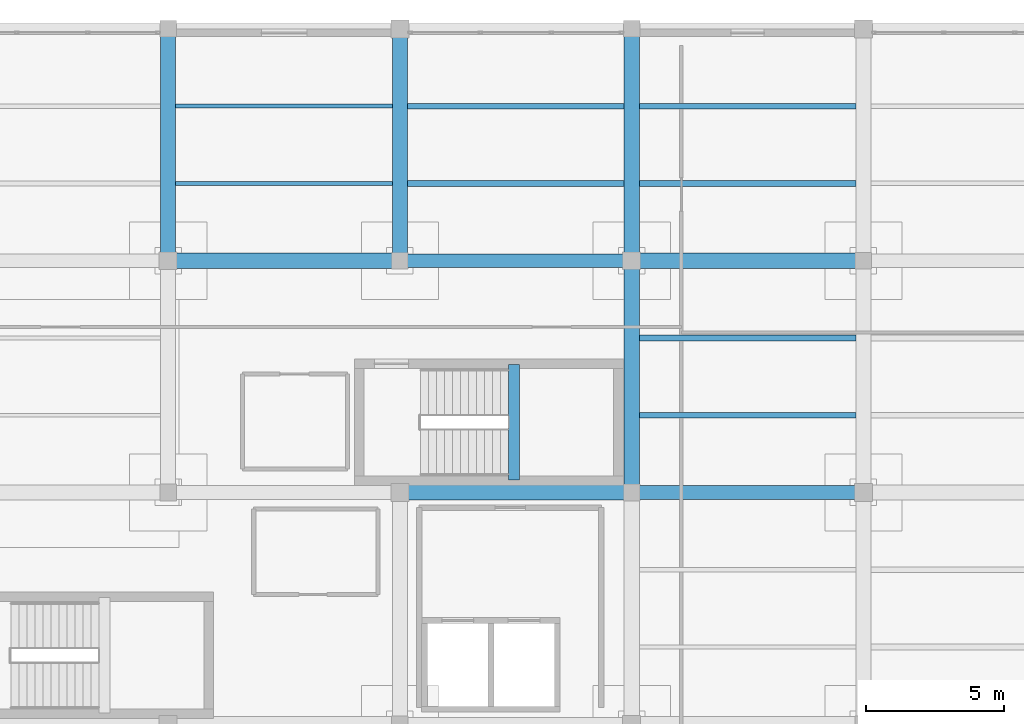
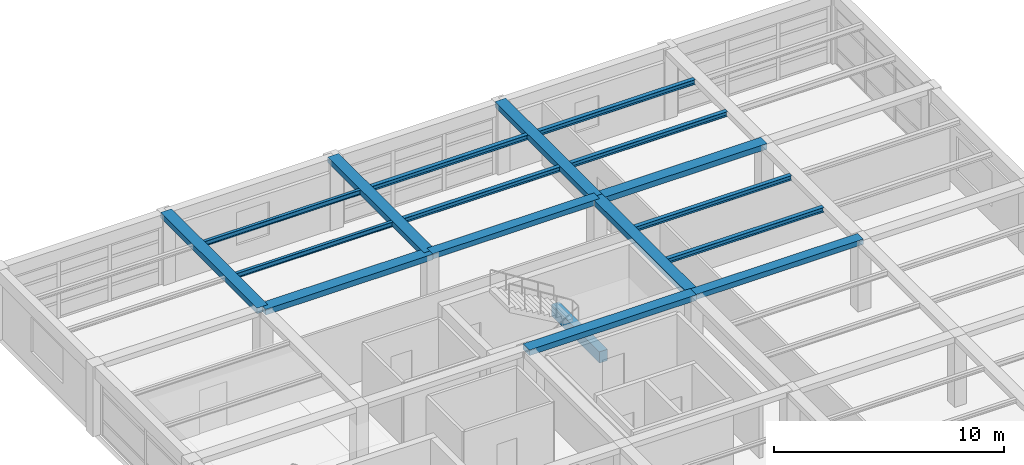
# One storey, part 12 of 26: 18 beams.
"""IFC4 building model written with IfcOpenShell, lengths in metres."""

from ifc_helpers import new_model, si_unit, direction, frame, origin, origin_2d, place, context, subcontext, project, spatial, rectangle, i_section, extrude, material, material_profile, profile_set, type_object, element, save


model = new_model("IFC4")

# Units and contexts
model_context = context("Model", 3, precision=1e-05, world=origin(), true_north=direction((0.0, 1.0)))
body_context = subcontext(model_context, "Body", "Model", "MODEL_VIEW")
ifc_project = project(units=[si_unit("LENGTHUNIT", "METRE"), si_unit("AREAUNIT", "SQUARE_METRE"), si_unit("VOLUMEUNIT", "CUBIC_METRE"), si_unit("PLANEANGLEUNIT", "RADIAN"), si_unit("MASSUNIT", "GRAM", prefix="KILO")], contexts=[model_context])

# Site, building, storey
site_placement = place(None, origin())
site = spatial("IfcSite", under=ifc_project, at=site_placement, CompositionType="ELEMENT")
building_placement = place(site_placement, origin())
building = spatial("IfcBuilding", under=site, at=building_placement, Name="Almacenes y Pasaje Nevantli", CompositionType="ELEMENT")
storey_placement = place(building_placement, frame((0.0, 0.0, 46.699951171875)))
storey = spatial("IfcBuildingStorey", under=building, at=storey_placement, Name="L11", CompositionType="ELEMENT", Elevation=46.699951171875)

# Beams
ifc_material_1 = material(Name="Concrete C35/45", Category="concrete")
ifc_material_profile_1 = material_profile(ifc_material_1, rectangle(XDim=0.39990234375, YDim=0.60009765625, at=origin_2d()), Name="RC-BM-400x600")
ifc_profile_set_1 = profile_set([ifc_material_profile_1], Name="Concrete C35/45")
beam_type_1 = type_object("IfcBeamType", Name="BM-RC-400x600", PredefinedType="SPANDREL", material=ifc_profile_set_1)
beam_1_placement = place(storey_placement, frame((138.5400390625, 84.449951171875, 1.5), z_axis=(0.0, 1.0, 0.0), x_axis=(-1.0, 0.0, 0.0)))
element("IfcBeam", 1, at=beam_1_placement, inside=storey, type_object=beam_type_1, Name="L11 Stair ST-02 Half-Landing Support Beam", PredefinedType="SPANDREL", context=body_context, shape_type="SweptSolid", body=[
    extrude(rectangle(XDim=0.39990234375, YDim=0.60009765625, at=origin_2d()), origin(), (0.0, 0.0, 1.0), 4.18994140625),
])
ifc_material_2 = material(Name="Concrete C35/45", Category="concrete")
ifc_material_profile_2 = material_profile(ifc_material_2, rectangle(XDim=0.5, YDim=0.280029296875, at=origin_2d()), Name="RC-BM-500x280")
ifc_profile_set_2 = profile_set([ifc_material_profile_2], Name="Concrete C35/45")
beam_type_2 = type_object("IfcBeamType", Name="BM-RC-500x280", PredefinedType="BEAM", material=ifc_profile_set_2)
beam_2_placement = place(storey_placement, frame((142.800048828125, 84.0, 3.580078125), z_axis=(1.0, 0.0, 0.0), x_axis=(0.0, 1.0, 0.0)))
element("IfcBeam", 2, at=beam_2_placement, inside=storey, type_object=beam_type_2, Name="L11 East-West Reinforced Concrete Beam #3857", PredefinedType="BEAM", context=body_context, shape_type="SweptSolid", body=[
    extrude(rectangle(XDim=0.5, YDim=0.280029296875, at=origin_2d()), origin(), (0.0, 0.0, 1.0), 8.39990234375),
])
beam_3_placement = place(storey_placement, frame((134.39990234375, 92.39990234375, 3.580078125), z_axis=(1.0, 0.0, 0.0), x_axis=(0.0, 1.0, 0.0)))
element("IfcBeam", 3, at=beam_3_placement, inside=storey, type_object=beam_type_2, Name="L11 East-West Reinforced Concrete Beam #3861", PredefinedType="BEAM", context=body_context, shape_type="SweptSolid", body=[
    extrude(rectangle(XDim=0.5, YDim=0.280029296875, at=origin_2d()), origin(), (0.0, 0.0, 1.0), 8.400146484375),
])
ifc_material_3 = material(Name="Concrete C35/45", Category="concrete")
ifc_material_profile_3 = material_profile(ifc_material_3, rectangle(XDim=0.550048828125, YDim=0.300048828125, at=origin_2d()), Name="RC-BM-550x300")
ifc_profile_set_3 = profile_set([ifc_material_profile_3], Name="Concrete C35/45")
beam_type_3 = type_object("IfcBeamType", Name="BM-RC-550x300", PredefinedType="BEAM", material=ifc_profile_set_3)
beam_4_placement = place(storey_placement, frame((134.39990234375, 84.0, 3.570068359375), z_axis=(1.0, 0.0, 0.0), x_axis=(0.0, 1.0, 0.0)))
element("IfcBeam", 4, at=beam_4_placement, inside=storey, type_object=beam_type_3, Name="L11 East-West Reinforced Concrete Beam #3856", PredefinedType="BEAM", context=body_context, shape_type="SweptSolid", body=[
    extrude(rectangle(XDim=0.550048828125, YDim=0.300048828125, at=origin_2d()), origin(), (0.0, 0.0, 1.0), 8.400146484375),
])
for number, where, z_axis, x_axis, name in (
    (5, (126.0, 92.39990234375, 3.570068359375), (1.0, 0.0, 0.0), (0.0, 1.0, 0.0), "L11 East-West Reinforced Concrete Beam #3860"),
    (6, (142.800048828125, 92.39990234375, 3.570068359375), (1.0, 0.0, 0.0), (0.0, 1.0, 0.0), "L11 East-West Reinforced Concrete Beam #3862"),
):
    element("IfcBeam", number, at=place(storey_placement, frame(where, z_axis=z_axis, x_axis=x_axis)), inside=storey, type_object=beam_type_3, Name=name, PredefinedType="BEAM", context=body_context, shape_type="SweptSolid", body=[
        extrude(rectangle(XDim=0.550048828125, YDim=0.300048828125, at=origin_2d()), origin(), (0.0, 0.0, 1.0), 8.39990234375),
    ])
for number, where, z_axis, x_axis, name in (
    (7, (126.0, 92.39990234375, 3.570068359375), (0.0, 1.0, 0.0), (-1.0, 0.0, 0.0), "L11 North-South Reinforced Concrete Beam #3875"),
    (8, (134.39990234375, 92.39990234375, 3.570068359375), (0.0, 1.0, 0.0), (-1.0, 0.0, 0.0), "L11 North-South Reinforced Concrete Beam #3878"),
):
    element("IfcBeam", number, at=place(storey_placement, frame(where, z_axis=z_axis, x_axis=x_axis)), inside=storey, type_object=beam_type_3, Name=name, PredefinedType="BEAM", context=body_context, shape_type="SweptSolid", body=[
        extrude(rectangle(XDim=0.550048828125, YDim=0.300048828125, at=origin_2d()), origin(), (0.0, 0.0, 1.0), 8.400146484375),
    ])
beam_5_placement = place(storey_placement, frame((142.800048828125, 84.0, 3.570068359375), z_axis=(0.0, 1.0, 0.0), x_axis=(-1.0, 0.0, 0.0)))
element("IfcBeam", 9, at=beam_5_placement, inside=storey, type_object=beam_type_3, Name="L11 North-South Reinforced Concrete Beam #3881", PredefinedType="BEAM", context=body_context, shape_type="SweptSolid", body=[
    extrude(rectangle(XDim=0.550048828125, YDim=0.300048828125, at=origin_2d()), origin(), (0.0, 0.0, 1.0), 8.39990234375),
])
beam_6_placement = place(storey_placement, frame((142.800048828125, 92.39990234375, 3.570068359375), z_axis=(0.0, 1.0, 0.0), x_axis=(-1.0, 0.0, 0.0)))
element("IfcBeam", 10, at=beam_6_placement, inside=storey, type_object=beam_type_3, Name="L11 North-South Reinforced Concrete Beam #3882", PredefinedType="BEAM", context=body_context, shape_type="SweptSolid", body=[
    extrude(rectangle(XDim=0.550048828125, YDim=0.300048828125, at=origin_2d()), origin(), (0.0, 0.0, 1.0), 8.400146484375),
])
ifc_material_4 = material(Name="Steel ASTM A992", Category="steel")
ifc_material_profile_4 = material_profile(ifc_material_4, i_section(OverallWidth=0.14697265625, OverallDepth=0.257080078125, WebThickness=0.006591796875, FlangeThickness=0.01123046875, at=origin_2d()), Name="IR 254x38.7")
ifc_profile_set_4 = profile_set([ifc_material_profile_4], Name="Steel ASTM A992")
beam_type_4 = type_object("IfcBeamType", Name="BM-STL-IR-254x38p7", PredefinedType="JOIST", material=ifc_profile_set_4)
for number, where, z_axis, x_axis, name in (
    (11, (126.27490234375, 95.199951171875, 3.58349609375), (1.0, 0.0, 0.0), (0.0, 1.0, 0.0), "L11 Secondary Steel Floor Joist #1519"),
    (12, (126.27490234375, 98.0, 3.58349609375), (1.0, 0.0, 0.0), (0.0, 1.0, 0.0), "L11 Secondary Steel Floor Joist #1520"),
):
    element("IfcBeam", number, at=place(storey_placement, frame(where, z_axis=z_axis, x_axis=x_axis)), inside=storey, type_object=beam_type_4, Name=name, PredefinedType="JOIST", context=body_context, shape_type="SweptSolid", body=[
        extrude(i_section(OverallWidth=0.14697265625, OverallDepth=0.257080078125, WebThickness=0.006591796875, FlangeThickness=0.01123046875, at=origin_2d()), origin(), (0.0, 0.0, 1.0), 7.85009765625),
    ])
ifc_material_5 = material(Name="Steel ASTM A992", Category="steel")
ifc_material_profile_5 = material_profile(ifc_material_5, i_section(OverallWidth=0.202880859375, OverallDepth=0.25390625, WebThickness=0.00732421875, FlangeThickness=0.010986328125, at=origin_2d()), Name="IR 254x49.1")
ifc_profile_set_5 = profile_set([ifc_material_profile_5], Name="Steel ASTM A992")
beam_type_5 = type_object("IfcBeamType", Name="BM-STL-IR-254x49p1", PredefinedType="JOIST", material=ifc_profile_set_5)
for number, where, z_axis, x_axis, name in (
    (13, (134.675048828125, 95.199951171875, 3.5849609375), (1.0, 0.0, 0.0), (0.0, 1.0, 0.0), "L11 Secondary Steel Floor Joist #1523"),
    (14, (134.675048828125, 98.0, 3.5849609375), (1.0, 0.0, 0.0), (0.0, 1.0, 0.0), "L11 Secondary Steel Floor Joist #1524"),
):
    element("IfcBeam", number, at=place(storey_placement, frame(where, z_axis=z_axis, x_axis=x_axis)), inside=storey, type_object=beam_type_5, Name=name, PredefinedType="JOIST", context=body_context, shape_type="SweptSolid", body=[
        extrude(i_section(OverallWidth=0.202880859375, OverallDepth=0.25390625, WebThickness=0.00732421875, FlangeThickness=0.010986328125, at=origin_2d()), origin(), (0.0, 0.0, 1.0), 7.849853515625),
    ])
for number, where, z_axis, x_axis, name in (
    (15, (143.074951171875, 86.800048828125, 3.5849609375), (1.0, 0.0, 0.0), (0.0, 1.0, 0.0), "L11 Secondary Steel Floor Joist #1529"),
    (16, (143.074951171875, 89.60009765625, 3.5849609375), (1.0, 0.0, 0.0), (0.0, 1.0, 0.0), "L11 Secondary Steel Floor Joist #1530"),
):
    element("IfcBeam", number, at=place(storey_placement, frame(where, z_axis=z_axis, x_axis=x_axis)), inside=storey, type_object=beam_type_5, Name=name, PredefinedType="JOIST", context=body_context, shape_type="SweptSolid", body=[
        extrude(i_section(OverallWidth=0.202880859375, OverallDepth=0.25390625, WebThickness=0.00732421875, FlangeThickness=0.010986328125, at=origin_2d()), origin(), (0.0, 0.0, 1.0), 7.85009765625),
    ])
ifc_material_6 = material(Name="Steel ASTM A992", Category="steel")
ifc_material_profile_6 = material_profile(ifc_material_6, i_section(OverallWidth=0.2041015625, OverallDepth=0.258056640625, WebThickness=0.008056640625, FlangeThickness=0.013427734375, at=origin_2d()), Name="IR 254x58.0")
ifc_profile_set_6 = profile_set([ifc_material_profile_6], Name="Steel ASTM A992")
beam_type_6 = type_object("IfcBeamType", Name="BM-STL-IR-254x58p0", PredefinedType="JOIST", material=ifc_profile_set_6)
for number, where, z_axis, x_axis, name in (
    (17, (143.074951171875, 95.199951171875, 3.5830078125), (1.0, 0.0, 0.0), (0.0, 1.0, 0.0), "L11 Secondary Steel Floor Joist #1531"),
    (18, (143.074951171875, 98.0, 3.5830078125), (1.0, 0.0, 0.0), (0.0, 1.0, 0.0), "L11 Secondary Steel Floor Joist #1532"),
):
    element("IfcBeam", number, at=place(storey_placement, frame(where, z_axis=z_axis, x_axis=x_axis)), inside=storey, type_object=beam_type_6, Name=name, PredefinedType="JOIST", context=body_context, shape_type="SweptSolid", body=[
        extrude(i_section(OverallWidth=0.2041015625, OverallDepth=0.258056640625, WebThickness=0.008056640625, FlangeThickness=0.013427734375, at=origin_2d()), origin(), (0.0, 0.0, 1.0), 7.85009765625),
    ])

save(model, "model.ifc")
